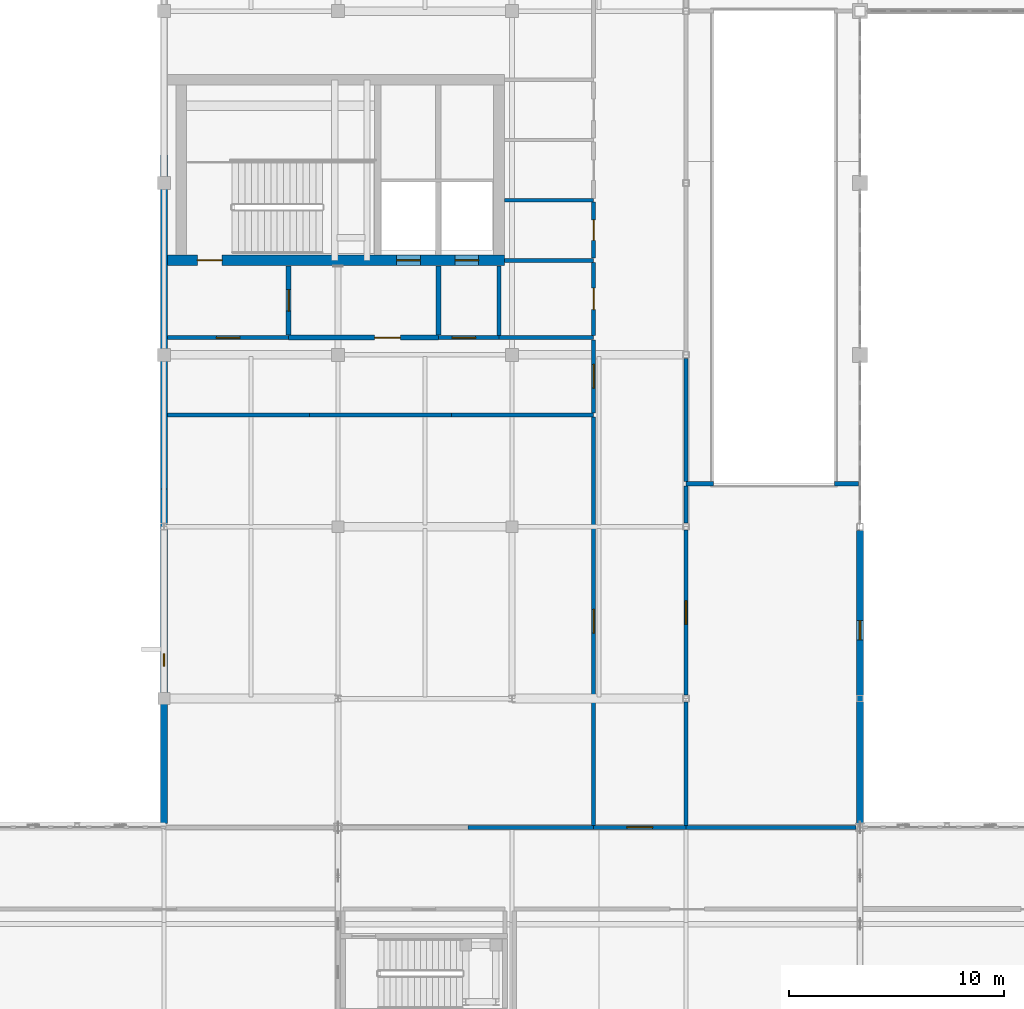
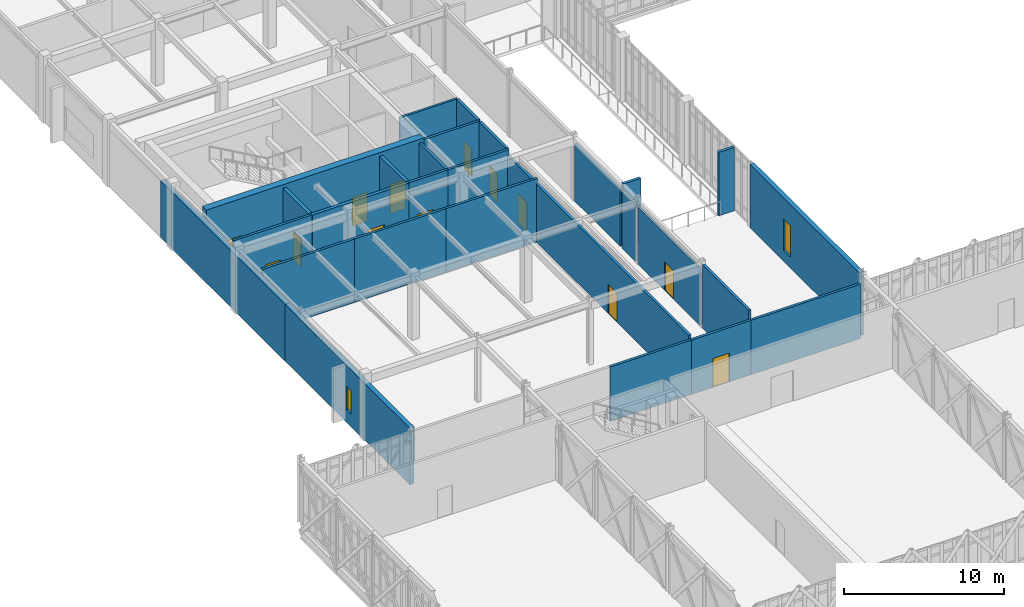
# One storey, part 93 of 107: 29 walls, 13 doors, 2 windows, 15 openings.
"""IFC4 building model written with IfcOpenShell, lengths in metres."""

from ifc_helpers import new_model, si_unit, direction, frame, frame_2d, origin, place, context, subcontext, project, spatial, rectangle, extrude, material, layer, layer_set, type_object, element, fill, save


model = new_model("IFC4")

# Units and contexts
model_context = context("Model", 3, precision=1e-05, world=origin(), true_north=direction((0.0, 1.0)))
body_context = subcontext(model_context, "Body", "Model", "MODEL_VIEW")
ifc_project = project(units=[si_unit("LENGTHUNIT", "METRE"), si_unit("AREAUNIT", "SQUARE_METRE"), si_unit("VOLUMEUNIT", "CUBIC_METRE"), si_unit("PLANEANGLEUNIT", "RADIAN"), si_unit("MASSUNIT", "GRAM", prefix="KILO")], contexts=[model_context])

# Site, building, storey
site_placement = place(None, origin())
site = spatial("IfcSite", under=ifc_project, at=site_placement, CompositionType="ELEMENT")
building_placement = place(site_placement, origin())
building = spatial("IfcBuilding", under=site, at=building_placement, Name="Tarnveldt Square Police Headquarters", CompositionType="ELEMENT")
storey_placement = place(building_placement, frame((0.0, 0.0, 14.699951171875)))
storey = spatial("IfcBuildingStorey", under=building, at=storey_placement, Name="L03", CompositionType="ELEMENT", Elevation=14.699951171875)

# Walls
ifc_material_1 = material(Name="Fire-rated Type X gypsum board on steel studs", Category="steel")
ifc_layer_1 = layer(ifc_material_1, 0.199951171875)
ifc_layer_set_1 = layer_set([ifc_layer_1], Name="Fire-rated Type X gypsum board on steel studs")
wall_type_1 = type_object("IfcWallType", Name="WL-ACOUST-200", PredefinedType="PARTITIONING", material=ifc_layer_set_1)
wall_1_placement = place(storey_placement, frame((40.5, 50.0, 0.0), z_axis=(0.0, 0.0, 1.0), x_axis=(1.0, 0.0, 0.0)))
element("IfcWall", 1, at=wall_1_placement, inside=storey, type_object=wall_type_1, Name="L03 Interior Partition Wall 0459", PredefinedType="PARTITIONING", context=body_context, shape_type="SweptSolid", body=[
    extrude(rectangle(XDim=1.2900390625, YDim=0.199951171875, at=frame_2d((0.64501953125, 0.0))), origin(), (0.0, 0.0, 1.0), 4.840087890625),
])
wall_2_placement = place(storey_placement, frame((47.409912109375, 50.0, 0.0), z_axis=(0.0, 0.0, 1.0), x_axis=(1.0, 0.0, 0.0)))
element("IfcWall", 2, at=wall_2_placement, inside=storey, type_object=wall_type_1, Name="L03 Interior Partition Wall 0460", PredefinedType="PARTITIONING", context=body_context, shape_type="SweptSolid", body=[
    extrude(rectangle(XDim=1.125, YDim=0.199951171875, at=frame_2d((0.5625, 0.0))), origin(), (0.0, 0.0, 1.0), 4.840087890625),
])

# Wall, openings, doors
ifc_material_2 = material(Name="Concrete 50 MPa", Category="concrete")
ifc_layer_2 = layer(ifc_material_2, 0.5)
ifc_layer_set_2 = layer_set([ifc_layer_2], Name="Concrete 50 MPa")
wall_type_2 = type_object("IfcWallType", Name="WL-CORE-500", PredefinedType="SHEAR", material=ifc_layer_set_2)
wall_3_placement = place(storey_placement, frame((16.360107421875, 60.39990234375, 0.0), z_axis=(0.0, 0.0, 1.0), x_axis=(1.0, 0.0, 0.0)))
wall_3 = element("IfcWall", 3, at=wall_3_placement, inside=storey, type_object=wall_type_2, Name="Core K1 South-West Command and Firefighting Core L03 South Shear Wall", PredefinedType="SHEAR", context=body_context, shape_type="SweptSolid", body=[
    extrude(rectangle(XDim=15.68994140625, YDim=0.5, at=frame_2d((7.844970703125, 0.0))), origin(), (0.0, 0.0, 1.0), 5.10009765625),
])
opening_1_placement = place(wall_3_placement, frame((1.389892578125, 0.0, 0.0)))
opening_1 = element("IfcOpeningElement", 4, at=opening_1_placement, cuts=wall_3, Name="Opening D-ST1-L03", PredefinedType="OPENING", context=body_context, shape_type="SweptSolid", body=[
    extrude(rectangle(XDim=1.14990234375, YDim=2.25, at=frame_2d((0.574951171875, 1.125))), frame((0.0, 0.260009765625, 0.0), z_axis=(0.0, -1.0, 0.0), x_axis=(1.0, 0.0, 0.0)), (0.0, 0.0, 1.0), 0.52001953125),
])
opening_2_placement = place(wall_3_placement, frame((10.672607421875, 0.0, 0.0)))
opening_2 = element("IfcOpeningElement", 5, at=opening_2_placement, cuts=wall_3, Name="Opening LD-LF1-L03", PredefinedType="OPENING", context=body_context, shape_type="SweptSolid", body=[
    extrude(rectangle(XDim=1.10009765625, YDim=2.199951171875, at=frame_2d((0.550048828125, 1.10009765625))), frame((0.0, 0.260009765625, 0.0), z_axis=(0.0, -1.0, 0.0), x_axis=(1.0, 0.0, 0.0)), (0.0, 0.0, 1.0), 0.52001953125),
])
opening_3_placement = place(wall_3_placement, frame((13.387451171875, 0.0, 0.0)))
opening_3 = element("IfcOpeningElement", 6, at=opening_3_placement, cuts=wall_3, Name="Opening LD-LP1-L03", PredefinedType="OPENING", context=body_context, shape_type="SweptSolid", body=[
    extrude(rectangle(XDim=1.10009765625, YDim=2.199951171875, at=frame_2d((0.550048828125, 1.10009765625))), frame((0.0, 0.260009765625, 0.0), z_axis=(0.0, -1.0, 0.0), x_axis=(1.0, 0.0, 0.0)), (0.0, 0.0, 1.0), 0.52001953125),
])
ifc_material_3 = material(Name="Insulated hollow metal steel door leaf", Category="steel")
door_type_1 = type_object("IfcDoorType", Name="DR-FD90-1150", OperationType="NOTDEFINED", PredefinedType="DOOR", material=ifc_material_3)
door_1_placement = place(opening_1_placement, origin())
door_1 = element("IfcDoor", 7, at=door_1_placement, inside=storey, type_object=door_type_1, Name="Exit Stair ST1 L03 Fire Door", OperationType="SINGLE_SWING_LEFT", OverallHeight=2.25, OverallWidth=1.14990234375, PredefinedType="DOOR", context=body_context, shape_type="SweptSolid", body=[
    extrude(rectangle(XDim=1.14990234375, YDim=2.25, at=frame_2d((0.574951171875, 1.125))), frame((0.0, 0.02490234375, 0.0), z_axis=(0.0, -1.0, 0.0), x_axis=(1.0, 0.0, 0.0)), (0.0, 0.0, 1.0), 0.050048828125),
])
fill(opening_1, door_1)
ifc_material_4 = material(Name="Steel 350W", Category="steel")
door_type_2 = type_object("IfcDoorType", Name="DR-LD-1100", OperationType="DOUBLE_DOOR_SLIDING", PredefinedType="DOOR", material=ifc_material_4)
door_2_placement = place(opening_2_placement, frame((1.10009765625, 0.0, 0.0), z_axis=(0.0, 0.0, 1.0), x_axis=(-1.0, 0.0, 0.0)))
door_2 = element("IfcDoor", 8, at=door_2_placement, inside=storey, type_object=door_type_2, Name="Elevator LF1 L03 Sliding Landing Door", OperationType="DOUBLE_DOOR_SLIDING", OverallHeight=2.199951171875, OverallWidth=1.10009765625, PredefinedType="DOOR", context=body_context, shape_type="SweptSolid", body=[
    extrude(rectangle(XDim=1.10009765625, YDim=2.199951171875, at=frame_2d((0.550048828125, 1.10009765625))), frame((0.0, 0.02490234375, 0.0), z_axis=(0.0, -1.0, 0.0), x_axis=(1.0, 0.0, 0.0)), (0.0, 0.0, 1.0), 0.050048828125),
])
fill(opening_2, door_2)
door_3_placement = place(opening_3_placement, frame((1.10009765625, 0.0, 0.0), z_axis=(0.0, 0.0, 1.0), x_axis=(-1.0, 0.0, 0.0)))
door_3 = element("IfcDoor", 9, at=door_3_placement, inside=storey, type_object=door_type_2, Name="Elevator LP1 L03 Sliding Landing Door", OperationType="DOUBLE_DOOR_SLIDING", OverallHeight=2.199951171875, OverallWidth=1.10009765625, PredefinedType="DOOR", context=body_context, shape_type="SweptSolid", body=[
    extrude(rectangle(XDim=1.10009765625, YDim=2.199951171875, at=frame_2d((0.550048828125, 1.10009765625))), frame((0.0, 0.02490234375, 0.0), z_axis=(0.0, -1.0, 0.0), x_axis=(1.0, 0.0, 0.0)), (0.0, 0.0, 1.0), 0.050048828125),
])
fill(opening_3, door_3)

# Wall, opening, window
ifc_material_5 = material(Name="Concrete 40 MPa", Category="concrete")
ifc_layer_3 = layer(ifc_material_5, 0.320068359375)
ifc_layer_set_3 = layer_set([ifc_layer_3], Name="Concrete 40 MPa")
wall_type_3 = type_object("IfcWallType", Name="WL-EXT-BH320", PredefinedType="SOLIDWALL", material=ifc_layer_set_3)
wall_4_placement = place(storey_placement, frame((48.60009765625, 34.179931640625, 0.0), z_axis=(0.0, 0.0, 1.0), x_axis=(0.0, 1.0, 0.0)))
wall_4 = element("IfcWall", 10, at=wall_4_placement, inside=storey, type_object=wall_type_3, Name="L03 Brutalist Exterior Wall 0161", PredefinedType="SOLIDWALL", context=body_context, shape_type="SweptSolid", body=[
    extrude(rectangle(XDim=13.64013671875, YDim=0.320068359375, at=frame_2d((6.820068359375, 0.0))), origin(), (0.0, 0.0, 1.0), 4.840087890625),
])
opening_4_placement = place(wall_4_placement, frame((8.550048828125, 0.0, 0.85009765625)))
opening_4 = element("IfcOpeningElement", 11, at=opening_4_placement, cuts=wall_4, Name="Opening W03", PredefinedType="OPENING", context=body_context, shape_type="SweptSolid", body=[
    extrude(rectangle(XDim=0.89990234375, YDim=2.39990234375, at=frame_2d((0.449951171875, 1.199951171875))), frame((0.0, 0.169921875, 0.0), z_axis=(0.0, -1.0, 0.0), x_axis=(1.0, 0.0, 0.0)), (0.0, 0.0, 1.0), 0.340087890625),
])
ifc_material_6 = material(Name="Triple-glazed low-e laminated vision glass", Category="glass")
window_type_1 = type_object("IfcWindowType", Name="WIN-DR-090x240", PartitioningType="DOUBLE_PANEL_HORIZONTAL", PredefinedType="WINDOW", material=ifc_material_6)
window_1_placement = place(opening_4_placement, origin())
window_1 = element("IfcWindow", 12, at=window_1_placement, inside=storey, type_object=window_type_1, Name="L03 Deep-Reveal Brutalist Window 0075", OverallHeight=2.39990234375, OverallWidth=0.89990234375, PartitioningType="DOUBLE_PANEL_HORIZONTAL", PredefinedType="WINDOW", context=body_context, shape_type="SweptSolid", body=[
    extrude(rectangle(XDim=0.89990234375, YDim=2.39990234375, at=frame_2d((0.449951171875, 1.199951171875))), frame((0.0, 0.030029296875, 0.0), z_axis=(0.0, -1.0, 0.0), x_axis=(1.0, 0.0, 0.0)), (0.0, 0.0, 1.0), 0.06005859375),
])
fill(opening_4, window_1)

# Wall
wall_5_placement = place(storey_placement, frame((16.199951171875, 65.30810546875, 0.0), z_axis=(0.0, 0.0, 1.0), x_axis=(0.0, -1.0, 0.0)))
element("IfcWall", 13, at=wall_5_placement, inside=storey, type_object=wall_type_3, Name="L03 Brutalist Exterior Wall 0182", PredefinedType="SOLIDWALL", context=body_context, shape_type="SweptSolid", body=[
    extrude(rectangle(XDim=15.564208984375, YDim=0.320068359375, at=frame_2d((7.7822265625, 0.0))), origin(), (0.0, 0.0, 1.0), 4.33203125),
])

# Wall, opening, window
wall_6_placement = place(storey_placement, frame((16.199951171875, 49.743896484375, 0.0), z_axis=(0.0, 0.0, 1.0), x_axis=(0.0, -1.0, 0.0)))
wall_6 = element("IfcWall", 14, at=wall_6_placement, inside=storey, type_object=wall_type_3, Name="L03 Brutalist Exterior Wall 0183", PredefinedType="SOLIDWALL", context=body_context, shape_type="SweptSolid", body=[
    extrude(rectangle(XDim=15.56396484375, YDim=0.320068359375, at=frame_2d((7.781982421875, 0.0))), origin(), (0.0, 0.0, 1.0), 4.33203125),
])
opening_5_placement = place(wall_6_placement, frame((7.64990234375, 0.0, 0.949951171875)))
opening_5 = element("IfcOpeningElement", 15, at=opening_5_placement, cuts=wall_6, Name="Opening W20", PredefinedType="OPENING", context=body_context, shape_type="SweptSolid", body=[
    extrude(rectangle(XDim=0.60009765625, YDim=1.800048828125, at=frame_2d((0.300048828125, 0.89990234375))), frame((0.0, 0.169921875, 0.0), z_axis=(0.0, -1.0, 0.0), x_axis=(1.0, 0.0, 0.0)), (0.0, 0.0, 1.0), 0.340087890625),
])
window_type_2 = type_object("IfcWindowType", Name="WIN-SLT-060x180", PartitioningType="SINGLE_PANEL", PredefinedType="WINDOW", material=ifc_material_6)
window_2_placement = place(opening_5_placement, origin())
window_2 = element("IfcWindow", 16, at=window_2_placement, inside=storey, type_object=window_type_2, Name="L03 Deep-Reveal Brutalist Window 0092", OverallHeight=1.800048828125, OverallWidth=0.60009765625, PartitioningType="SINGLE_PANEL", PredefinedType="WINDOW", context=body_context, shape_type="SweptSolid", body=[
    extrude(rectangle(XDim=0.60009765625, YDim=1.800048828125, at=frame_2d((0.300048828125, 0.89990234375))), frame((0.0, 0.030029296875, 0.0), z_axis=(0.0, -1.0, 0.0), x_axis=(1.0, 0.0, 0.0)), (0.0, 0.0, 1.0), 0.06005859375),
])
fill(opening_5, window_2)

# Walls
ifc_layer_4 = layer(ifc_material_1, 0.179931640625)
ifc_layer_set_4 = layer_set([ifc_layer_4], Name="Fire-rated Type X gypsum board on steel studs")
wall_type_4 = type_object("IfcWallType", Name="WL-FIRE-180", PredefinedType="PARTITIONING", material=ifc_layer_set_4)
wall_7_placement = place(storey_placement, frame((30.347412109375, 34.0, 0.0), z_axis=(0.0, 0.0, 1.0), x_axis=(1.0, 0.0, 0.0)))
element("IfcWall", 17, at=wall_7_placement, inside=storey, type_object=wall_type_4, Name="L03 Interior Partition Wall 0436", PredefinedType="PARTITIONING", context=body_context, shape_type="SweptSolid", body=[
    extrude(rectangle(XDim=5.8525390625, YDim=0.179931640625, at=frame_2d((2.92626953125, 0.0))), origin(), (0.0, 0.0, 1.0), 4.14404296875),
])
wall_8_placement = place(storey_placement, frame((16.367919921875, 53.199951171875, 0.0), z_axis=(0.0, 0.0, 1.0), x_axis=(1.0, 0.0, 0.0)))
element("IfcWall", 18, at=wall_8_placement, inside=storey, type_object=wall_type_4, Name="L03 Interior Partition Wall 0437", PredefinedType="PARTITIONING", context=body_context, shape_type="SweptSolid", body=[
    extrude(rectangle(XDim=6.61083984375, YDim=0.179931640625, at=frame_2d((3.305419921875, 0.0))), origin(), (0.0, 0.0, 1.0), 4.840087890625),
])
for number, where, z_axis, x_axis, name in (
    (19, (22.978759765625, 53.199951171875, 0.0), (0.0, 0.0, 1.0), (1.0, 0.0, 0.0), "L03 Interior Partition Wall 0438"),
    (20, (29.58935546875, 53.199951171875, 0.0), (0.0, 0.0, 1.0), (1.0, 0.0, 0.0), "L03 Interior Partition Wall 0439"),
):
    element("IfcWall", number, at=place(storey_placement, frame(where, z_axis=z_axis, x_axis=x_axis)), inside=storey, type_object=wall_type_4, Name=name, PredefinedType="PARTITIONING", context=body_context, shape_type="SweptSolid", body=[
        extrude(rectangle(XDim=6.610595703125, YDim=0.179931640625, at=frame_2d((3.30517578125, 0.0))), origin(), (0.0, 0.0, 1.0), 4.840087890625),
    ])

# Wall, opening, door
wall_9_placement = place(storey_placement, frame((16.367919921875, 56.800048828125, 0.0), z_axis=(0.0, 0.0, 1.0), x_axis=(1.0, 0.0, 0.0)))
wall_9 = element("IfcWall", 21, at=wall_9_placement, inside=storey, type_object=wall_type_4, Name="L03 Interior Partition Wall 0440", PredefinedType="PARTITIONING", context=body_context, shape_type="SweptSolid", body=[
    extrude(rectangle(XDim=5.632080078125, YDim=0.179931640625, at=frame_2d((2.81591796875, 0.0))), origin(), (0.0, 0.0, 1.0), 4.840087890625),
])
opening_6_placement = place(wall_9_placement, frame((2.26611328125, 0.0, 0.0)))
opening_6 = element("IfcOpeningElement", 22, at=opening_6_placement, cuts=wall_9, Name="Opening D15", PredefinedType="OPENING", context=body_context, shape_type="SweptSolid", body=[
    extrude(rectangle(XDim=1.10009765625, YDim=2.199951171875, at=frame_2d((0.550048828125, 1.10009765625))), frame((0.0, 0.099853515625, 0.0), z_axis=(0.0, -1.0, 0.0), x_axis=(1.0, 0.0, 0.0)), (0.0, 0.0, 1.0), 0.199951171875),
])
door_type_3 = type_object("IfcDoorType", Name="DR-FD60-1100", OperationType="NOTDEFINED", PredefinedType="DOOR", material=ifc_material_3)
door_4_placement = place(opening_6_placement, frame((1.10009765625, 0.0, 0.0), z_axis=(0.0, 0.0, 1.0), x_axis=(-1.0, 0.0, 0.0)))
door_4 = element("IfcDoor", 23, at=door_4_placement, inside=storey, type_object=door_type_3, Name="Core Stair Lobby K1-L03 Door", OperationType="SINGLE_SWING_LEFT", OverallHeight=2.199951171875, OverallWidth=1.10009765625, PredefinedType="DOOR", context=body_context, shape_type="SweptSolid", body=[
    extrude(rectangle(XDim=1.10009765625, YDim=2.199951171875, at=frame_2d((0.550048828125, 1.10009765625))), frame((0.0, 0.02490234375, 0.0), z_axis=(0.0, -1.0, 0.0), x_axis=(1.0, 0.0, 0.0)), (0.0, 0.0, 1.0), 0.050048828125),
])
fill(opening_6, door_4)

wall_10_placement = place(storey_placement, frame((28.97509765625, 56.800048828125, 0.0), z_axis=(0.0, 0.0, 1.0), x_axis=(1.0, 0.0, 0.0)))
wall_10 = element("IfcWall", 24, at=wall_10_placement, inside=storey, type_object=wall_type_4, Name="L03 Interior Partition Wall 0448", PredefinedType="PARTITIONING", context=body_context, shape_type="SweptSolid", body=[
    extrude(rectangle(XDim=2.824951171875, YDim=0.179931640625, at=frame_2d((1.41259765625, 0.0))), origin(), (0.0, 0.0, 1.0), 4.840087890625),
])
opening_7_placement = place(wall_10_placement, frame((0.636474609375, 0.0, 0.0)))
opening_7 = element("IfcOpeningElement", 25, at=opening_7_placement, cuts=wall_10, Name="Opening D15", PredefinedType="OPENING", context=body_context, shape_type="SweptSolid", body=[
    extrude(rectangle(XDim=1.10009765625, YDim=2.199951171875, at=frame_2d((0.550048828125, 1.10009765625))), frame((0.0, 0.099853515625, 0.0), z_axis=(0.0, -1.0, 0.0), x_axis=(1.0, 0.0, 0.0)), (0.0, 0.0, 1.0), 0.199951171875),
])
door_5_placement = place(opening_7_placement, frame((1.10009765625, 0.0, 0.0), z_axis=(0.0, 0.0, 1.0), x_axis=(-1.0, 0.0, 0.0)))
door_5 = element("IfcDoor", 26, at=door_5_placement, inside=storey, type_object=door_type_3, Name="Passenger Lift Lobby K1-L03 Door", OperationType="SINGLE_SWING_RIGHT", OverallHeight=2.199951171875, OverallWidth=1.10009765625, PredefinedType="DOOR", context=body_context, shape_type="SweptSolid", body=[
    extrude(rectangle(XDim=1.10009765625, YDim=2.199951171875, at=frame_2d((0.550048828125, 1.10009765625))), frame((0.0, 0.02490234375, 0.0), z_axis=(0.0, -1.0, 0.0), x_axis=(1.0, 0.0, 0.0)), (0.0, 0.0, 1.0), 0.050048828125),
])
fill(opening_7, door_5)

# Walls
wall_11_placement = place(storey_placement, frame((31.800048828125, 56.800048828125, 0.0), z_axis=(0.0, 0.0, 1.0), x_axis=(1.0, 0.0, 0.0)))
element("IfcWall", 27, at=wall_11_placement, inside=storey, type_object=wall_type_4, Name="L03 Interior Partition Wall 0451", PredefinedType="PARTITIONING", context=body_context, shape_type="SweptSolid", body=[
    extrude(rectangle(XDim=4.39990234375, YDim=0.179931640625, at=frame_2d((2.199951171875, 0.0))), origin(), (0.0, 0.0, 1.0), 4.840087890625),
])
wall_12_placement = place(storey_placement, frame((32.050048828125, 60.39990234375, 0.0), z_axis=(0.0, 0.0, 1.0), x_axis=(1.0, 0.0, 0.0)))
element("IfcWall", 28, at=wall_12_placement, inside=storey, type_object=wall_type_4, Name="L03 Interior Partition Wall 0452", PredefinedType="PARTITIONING", context=body_context, shape_type="SweptSolid", body=[
    extrude(rectangle(XDim=4.14990234375, YDim=0.179931640625, at=frame_2d((2.074951171875, 0.0))), origin(), (0.0, 0.0, 1.0), 4.840087890625),
])

# Wall, opening, door
wall_13_placement = place(storey_placement, frame((36.199951171875, 34.0, 0.0), z_axis=(0.0, 0.0, 1.0), x_axis=(1.0, 0.0, 0.0)))
wall_13 = element("IfcWall", 29, at=wall_13_placement, inside=storey, type_object=wall_type_4, Name="L03 Interior Partition Wall 0457", PredefinedType="PARTITIONING", context=body_context, shape_type="SweptSolid", body=[
    extrude(rectangle(XDim=4.300048828125, YDim=0.179931640625, at=frame_2d((2.14990234375, 0.0))), origin(), (0.0, 0.0, 1.0), 4.14404296875),
])
opening_8_placement = place(wall_13_placement, frame((1.550048828125, 0.0, 0.0)))
opening_8 = element("IfcOpeningElement", 30, at=opening_8_placement, cuts=wall_13, Name="Opening D16", PredefinedType="OPENING", context=body_context, shape_type="SweptSolid", body=[
    extrude(rectangle(XDim=1.199951171875, YDim=2.199951171875, at=frame_2d((0.60009765625, 1.10009765625))), frame((0.0, 0.099853515625, 0.0), z_axis=(0.0, -1.0, 0.0), x_axis=(1.0, 0.0, 0.0)), (0.0, 0.0, 1.0), 0.199951171875),
])
door_type_4 = type_object("IfcDoorType", Name="DR-FD60-1200", OperationType="NOTDEFINED", PredefinedType="DOOR", material=ifc_material_3)
door_6_placement = place(opening_8_placement, frame((1.199951171875, 0.0, 0.0), z_axis=(0.0, 0.0, 1.0), x_axis=(-1.0, 0.0, 0.0)))
door_6 = element("IfcDoor", 31, at=door_6_placement, inside=storey, type_object=door_type_4, Name="Command Lantern Rear Spine Corridor Door", OperationType="SINGLE_SWING_LEFT", OverallHeight=2.199951171875, OverallWidth=1.199951171875, PredefinedType="DOOR", context=body_context, shape_type="SweptSolid", body=[
    extrude(rectangle(XDim=1.199951171875, YDim=2.199951171875, at=frame_2d((0.60009765625, 1.10009765625))), frame((0.0, 0.02490234375, 0.0), z_axis=(0.0, -1.0, 0.0), x_axis=(1.0, 0.0, 0.0)), (0.0, 0.0, 1.0), 0.050048828125),
])
fill(opening_8, door_6)

# Walls
wall_14_placement = place(storey_placement, frame((40.5, 34.0, 0.0), z_axis=(0.0, 0.0, 1.0), x_axis=(1.0, 0.0, 0.0)))
element("IfcWall", 32, at=wall_14_placement, inside=storey, type_object=wall_type_4, Name="L03 Interior Partition Wall 0458", PredefinedType="PARTITIONING", context=body_context, shape_type="SweptSolid", body=[
    extrude(rectangle(XDim=7.905029296875, YDim=0.179931640625, at=frame_2d((3.95263671875, 0.0))), origin(), (0.0, 0.0, 1.0), 4.14404296875),
])
wall_15_placement = place(storey_placement, frame((31.800048828125, 56.89794921875, 0.0), z_axis=(0.0, 0.0, 1.0), x_axis=(0.0, 1.0, 0.0)))
element("IfcWall", 33, at=wall_15_placement, inside=storey, type_object=wall_type_4, Name="L03 Interior Partition Wall 0486", PredefinedType="PARTITIONING", context=body_context, shape_type="SweptSolid", body=[
    extrude(rectangle(XDim=3.244140625, YDim=0.179931640625, at=frame_2d((1.6220703125, 0.0))), origin(), (0.0, 0.0, 1.0), 4.840087890625),
])

# Wall, opening, door
wall_16_placement = place(storey_placement, frame((36.199951171875, 34.097900390625, 0.0), z_axis=(0.0, 0.0, 1.0), x_axis=(0.0, 1.0, 0.0)))
wall_16 = element("IfcWall", 34, at=wall_16_placement, inside=storey, type_object=wall_type_4, Name="L03 Interior Partition Wall 0490", PredefinedType="PARTITIONING", context=body_context, shape_type="SweptSolid", body=[
    extrude(rectangle(XDim=19.004150390625, YDim=0.179931640625, at=frame_2d((9.501953125, 0.0))), origin(), (0.0, 0.0, 1.0), 4.425048828125),
])
opening_9_placement = place(wall_16_placement, frame((8.951904296875, 0.0, 0.0)))
opening_9 = element("IfcOpeningElement", 35, at=opening_9_placement, cuts=wall_16, Name="Opening D07", PredefinedType="OPENING", context=body_context, shape_type="SweptSolid", body=[
    extrude(rectangle(XDim=1.10009765625, YDim=2.199951171875, at=frame_2d((0.550048828125, 1.10009765625))), frame((0.0, 0.099853515625, 0.0), z_axis=(0.0, -1.0, 0.0), x_axis=(1.0, 0.0, 0.0)), (0.0, 0.0, 1.0), 0.199951171875),
])
ifc_material_7 = material(Name="Solid core architectural birch door leaf", Category="wood")
door_type_5 = type_object("IfcDoorType", Name="DR-INT-1100", OperationType="NOTDEFINED", PredefinedType="DOOR", material=ifc_material_7)
door_7_placement = place(opening_9_placement, origin())
door_7 = element("IfcDoor", 36, at=door_7_placement, inside=storey, type_object=door_type_5, Name="Hold-Up and Robbery Investigation Squad Door", OperationType="SINGLE_SWING_RIGHT", OverallHeight=2.199951171875, OverallWidth=1.10009765625, PredefinedType="DOOR", context=body_context, shape_type="SweptSolid", body=[
    extrude(rectangle(XDim=1.10009765625, YDim=2.199951171875, at=frame_2d((0.550048828125, 1.10009765625))), frame((0.0, 0.02490234375, 0.0), z_axis=(0.0, -1.0, 0.0), x_axis=(1.0, 0.0, 0.0)), (0.0, 0.0, 1.0), 0.050048828125),
])
fill(opening_9, door_7)

wall_17_placement = place(storey_placement, frame((36.199951171875, 53.298095703125, 0.0), z_axis=(0.0, 0.0, 1.0), x_axis=(0.0, 1.0, 0.0)))
wall_17 = element("IfcWall", 37, at=wall_17_placement, inside=storey, type_object=wall_type_4, Name="L03 Interior Partition Wall 0491", PredefinedType="PARTITIONING", context=body_context, shape_type="SweptSolid", body=[
    extrude(rectangle(XDim=3.40380859375, YDim=0.179931640625, at=frame_2d((1.701904296875, 0.0))), origin(), (0.0, 0.0, 1.0), 4.425048828125),
])
opening_10_placement = place(wall_17_placement, frame((1.152099609375, 0.0, 0.0)))
opening_10 = element("IfcOpeningElement", 38, at=opening_10_placement, cuts=wall_17, Name="Opening D15", PredefinedType="OPENING", context=body_context, shape_type="SweptSolid", body=[
    extrude(rectangle(XDim=1.10009765625, YDim=2.199951171875, at=frame_2d((0.550048828125, 1.10009765625))), frame((0.0, 0.099853515625, 0.0), z_axis=(0.0, -1.0, 0.0), x_axis=(1.0, 0.0, 0.0)), (0.0, 0.0, 1.0), 0.199951171875),
])
door_8_placement = place(opening_10_placement, origin())
door_8 = element("IfcDoor", 39, at=door_8_placement, inside=storey, type_object=door_type_3, Name="Core K1 South Link Corridor L03 Door", OperationType="SINGLE_SWING_LEFT", OverallHeight=2.199951171875, OverallWidth=1.10009765625, PredefinedType="DOOR", context=body_context, shape_type="SweptSolid", body=[
    extrude(rectangle(XDim=1.10009765625, YDim=2.199951171875, at=frame_2d((0.550048828125, 1.10009765625))), frame((0.0, 0.02490234375, 0.0), z_axis=(0.0, -1.0, 0.0), x_axis=(1.0, 0.0, 0.0)), (0.0, 0.0, 1.0), 0.050048828125),
])
fill(opening_10, door_8)

wall_18_placement = place(storey_placement, frame((36.199951171875, 56.89794921875, 0.0), z_axis=(0.0, 0.0, 1.0), x_axis=(0.0, 1.0, 0.0)))
wall_18 = element("IfcWall", 40, at=wall_18_placement, inside=storey, type_object=wall_type_4, Name="L03 Interior Partition Wall 0492", PredefinedType="PARTITIONING", context=body_context, shape_type="SweptSolid", body=[
    extrude(rectangle(XDim=3.404052734375, YDim=0.179931640625, at=frame_2d((1.7021484375, 0.0))), origin(), (0.0, 0.0, 1.0), 4.840087890625),
])
opening_11_placement = place(wall_18_placement, frame((1.201904296875, 0.0, 0.0)))
opening_11 = element("IfcOpeningElement", 41, at=opening_11_placement, cuts=wall_18, Name="Opening D14", PredefinedType="OPENING", context=body_context, shape_type="SweptSolid", body=[
    extrude(rectangle(XDim=1.0, YDim=2.14990234375, at=frame_2d((0.5, 1.074951171875))), frame((0.0, 0.099853515625, 0.0), z_axis=(0.0, -1.0, 0.0), x_axis=(1.0, 0.0, 0.0)), (0.0, 0.0, 1.0), 0.199951171875),
])
door_type_6 = type_object("IfcDoorType", Name="DR-FD60-1000", OperationType="NOTDEFINED", PredefinedType="DOOR", material=ifc_material_3)
door_9_placement = place(opening_11_placement, origin())
door_9 = element("IfcDoor", 42, at=door_9_placement, inside=storey, type_object=door_type_6, Name="Electrical Distribution Room L03 Door", OperationType="SINGLE_SWING_RIGHT", OverallHeight=2.14990234375, OverallWidth=1.0, PredefinedType="DOOR", context=body_context, shape_type="SweptSolid", body=[
    extrude(rectangle(XDim=1.0, YDim=2.14990234375, at=frame_2d((0.5, 1.074951171875))), frame((0.0, 0.02490234375, 0.0), z_axis=(0.0, -1.0, 0.0), x_axis=(1.0, 0.0, 0.0)), (0.0, 0.0, 1.0), 0.050048828125),
])
fill(opening_11, door_9)

wall_19_placement = place(storey_placement, frame((36.199951171875, 60.498046875, 0.0), z_axis=(0.0, 0.0, 1.0), x_axis=(0.0, 1.0, 0.0)))
wall_19 = element("IfcWall", 43, at=wall_19_placement, inside=storey, type_object=wall_type_4, Name="L03 Interior Partition Wall 0493", PredefinedType="PARTITIONING", context=body_context, shape_type="SweptSolid", body=[
    extrude(rectangle(XDim=2.614013671875, YDim=0.179931640625, at=frame_2d((1.30712890625, 0.0))), origin(), (0.0, 0.0, 1.0), 4.840087890625),
])
opening_12_placement = place(wall_19_placement, frame((0.83203125, 0.0, 0.0)))
opening_12 = element("IfcOpeningElement", 44, at=opening_12_placement, cuts=wall_19, Name="Opening D02", PredefinedType="OPENING", context=body_context, shape_type="SweptSolid", body=[
    extrude(rectangle(XDim=0.949951171875, YDim=2.10009765625, at=frame_2d((0.47509765625, 1.050048828125))), frame((0.0, 0.099853515625, 0.0), z_axis=(0.0, -1.0, 0.0), x_axis=(1.0, 0.0, 0.0)), (0.0, 0.0, 1.0), 0.199951171875),
])
door_type_7 = type_object("IfcDoorType", Name="DR-WC-950", OperationType="NOTDEFINED", PredefinedType="DOOR", material=ifc_material_7)
door_10_placement = place(opening_12_placement, origin())
door_10 = element("IfcDoor", 45, at=door_10_placement, inside=storey, type_object=door_type_7, Name="Men Washroom L03 Door", OperationType="SINGLE_SWING_LEFT", OverallHeight=2.10009765625, OverallWidth=0.949951171875, PredefinedType="DOOR", context=body_context, shape_type="SweptSolid", body=[
    extrude(rectangle(XDim=0.949951171875, YDim=2.10009765625, at=frame_2d((0.47509765625, 1.050048828125))), frame((0.0, 0.02490234375, 0.0), z_axis=(0.0, -1.0, 0.0), x_axis=(1.0, 0.0, 0.0)), (0.0, 0.0, 1.0), 0.050048828125),
])
fill(opening_12, door_10)

# Wall
wall_20_placement = place(storey_placement, frame((40.5, 34.097900390625, 0.0), z_axis=(0.0, 0.0, 1.0), x_axis=(0.0, 1.0, 0.0)))
element("IfcWall", 46, at=wall_20_placement, inside=storey, type_object=wall_type_4, Name="L03 Interior Partition Wall 0500", PredefinedType="PARTITIONING", context=body_context, shape_type="SweptSolid", body=[
    extrude(rectangle(XDim=5.74169921875, YDim=0.179931640625, at=frame_2d((2.870849609375, 0.0))), origin(), (0.0, 0.0, 1.0), 4.840087890625),
])

# Wall, opening, door
wall_21_placement = place(storey_placement, frame((40.5, 40.160400390625, 0.0), z_axis=(0.0, 0.0, 1.0), x_axis=(0.0, 1.0, 0.0)))
wall_21 = element("IfcWall", 47, at=wall_21_placement, inside=storey, type_object=wall_type_4, Name="L03 Interior Partition Wall 0501", PredefinedType="PARTITIONING", context=body_context, shape_type="SweptSolid", body=[
    extrude(rectangle(XDim=7.67919921875, YDim=0.179931640625, at=frame_2d((3.839599609375, 0.0))), origin(), (0.0, 0.0, 1.0), 4.369140625),
])
opening_13_placement = place(wall_21_placement, frame((3.28955078125, 0.0, 0.0)))
opening_13 = element("IfcOpeningElement", 48, at=opening_13_placement, cuts=wall_21, Name="Opening D07", PredefinedType="OPENING", context=body_context, shape_type="SweptSolid", body=[
    extrude(rectangle(XDim=1.10009765625, YDim=2.199951171875, at=frame_2d((0.550048828125, 1.10009765625))), frame((0.0, 0.099853515625, 0.0), z_axis=(0.0, -1.0, 0.0), x_axis=(1.0, 0.0, 0.0)), (0.0, 0.0, 1.0), 0.199951171875),
])
door_11_placement = place(opening_13_placement, frame((1.10009765625, 0.0, 0.0), z_axis=(0.0, 0.0, 1.0), x_axis=(-1.0, 0.0, 0.0)))
door_11 = element("IfcDoor", 49, at=door_11_placement, inside=storey, type_object=door_type_5, Name="Incident Debriefing Seminar Room L03 Door", OperationType="SINGLE_SWING_RIGHT", OverallHeight=2.199951171875, OverallWidth=1.10009765625, PredefinedType="DOOR", context=body_context, shape_type="SweptSolid", body=[
    extrude(rectangle(XDim=1.10009765625, YDim=2.199951171875, at=frame_2d((0.550048828125, 1.10009765625))), frame((0.0, 0.02490234375, 0.0), z_axis=(0.0, -1.0, 0.0), x_axis=(1.0, 0.0, 0.0)), (0.0, 0.0, 1.0), 0.050048828125),
])
fill(opening_13, door_11)

# Walls
wall_22_placement = place(storey_placement, frame((40.5, 48.160400390625, 0.0), z_axis=(0.0, 0.0, 1.0), x_axis=(0.0, 1.0, 0.0)))
element("IfcWall", 50, at=wall_22_placement, inside=storey, type_object=wall_type_4, Name="L03 Interior Partition Wall 0502", PredefinedType="PARTITIONING", context=body_context, shape_type="SweptSolid", body=[
    extrude(rectangle(XDim=1.731689453125, YDim=0.179931640625, at=frame_2d((0.86572265625, 0.0))), origin(), (0.0, 0.0, 1.0), 4.33203125),
])
wall_23_placement = place(storey_placement, frame((40.5, 50.10791015625, 0.0), z_axis=(0.0, 0.0, 1.0), x_axis=(0.0, 1.0, 0.0)))
element("IfcWall", 51, at=wall_23_placement, inside=storey, type_object=wall_type_4, Name="L03 Interior Partition Wall 0503", PredefinedType="PARTITIONING", context=body_context, shape_type="SweptSolid", body=[
    extrude(rectangle(XDim=5.731689453125, YDim=0.179931640625, at=frame_2d((2.86572265625, 0.0))), origin(), (0.0, 0.0, 1.0), 4.33203125),
])

# Wall, opening, door
ifc_material_8 = material(Name="Concrete block masonry 15 MPa", Category="masonry")
ifc_layer_5 = layer(ifc_material_8, 0.239990234375)
ifc_layer_set_5 = layer_set([ifc_layer_5], Name="Concrete block masonry 15 MPa")
wall_type_5 = type_object("IfcWallType", Name="WL-FIRE-240", PredefinedType="PARTITIONING", material=ifc_layer_set_5)
wall_24_placement = place(storey_placement, frame((22.0, 56.800048828125, 0.0), z_axis=(0.0, 0.0, 1.0), x_axis=(1.0, 0.0, 0.0)))
wall_24 = element("IfcWall", 52, at=wall_24_placement, inside=storey, type_object=wall_type_5, Name="L03 Interior Partition Wall 0446", PredefinedType="PARTITIONING", context=body_context, shape_type="SweptSolid", body=[
    extrude(rectangle(XDim=6.97509765625, YDim=0.239990234375, at=frame_2d((3.487548828125, 0.0))), origin(), (0.0, 0.0, 1.0), 4.840087890625),
])
opening_14_placement = place(wall_24_placement, frame((4.00341796875, 0.0, 0.0)))
opening_14 = element("IfcOpeningElement", 53, at=opening_14_placement, cuts=wall_24, Name="Opening D20", PredefinedType="OPENING", context=body_context, shape_type="SweptSolid", body=[
    extrude(rectangle(XDim=1.199951171875, YDim=2.300048828125, at=frame_2d((0.60009765625, 1.14990234375))), frame((0.0, 0.1298828125, 0.0), z_axis=(0.0, -1.0, 0.0), x_axis=(1.0, 0.0, 0.0)), (0.0, 0.0, 1.0), 0.260009765625),
])
door_type_8 = type_object("IfcDoorType", Name="DR-FD90-1200", OperationType="NOTDEFINED", PredefinedType="DOOR", material=ifc_material_3)
door_12_placement = place(opening_14_placement, frame((1.199951171875, 0.0, 0.0), z_axis=(0.0, 0.0, 1.0), x_axis=(-1.0, 0.0, 0.0)))
door_12 = element("IfcDoor", 54, at=door_12_placement, inside=storey, type_object=door_type_8, Name="Firefighting Lift Lobby K1-L03 Door", OperationType="SINGLE_SWING_RIGHT", OverallHeight=2.300048828125, OverallWidth=1.199951171875, PredefinedType="DOOR", context=body_context, shape_type="SweptSolid", body=[
    extrude(rectangle(XDim=1.199951171875, YDim=2.300048828125, at=frame_2d((0.60009765625, 1.14990234375))), frame((0.0, 0.02490234375, 0.0), z_axis=(0.0, -1.0, 0.0), x_axis=(1.0, 0.0, 0.0)), (0.0, 0.0, 1.0), 0.050048828125),
])
fill(opening_14, door_12)

wall_25_placement = place(storey_placement, frame((22.0, 56.927978515625, 0.0), z_axis=(0.0, 0.0, 1.0), x_axis=(0.0, 1.0, 0.0)))
wall_25 = element("IfcWall", 55, at=wall_25_placement, inside=storey, type_object=wall_type_5, Name="L03 Interior Partition Wall 0477", PredefinedType="PARTITIONING", context=body_context, shape_type="SweptSolid", body=[
    extrude(rectangle(XDim=3.214111328125, YDim=0.239990234375, at=frame_2d((1.60693359375, 0.0))), origin(), (0.0, 0.0, 1.0), 4.840087890625),
])
opening_15_placement = place(wall_25_placement, frame((1.10693359375, 0.0, 0.0)))
opening_15 = element("IfcOpeningElement", 56, at=opening_15_placement, cuts=wall_25, Name="Opening D17", PredefinedType="OPENING", context=body_context, shape_type="SweptSolid", body=[
    extrude(rectangle(XDim=1.0, YDim=2.199951171875, at=frame_2d((0.5, 1.10009765625))), frame((0.0, 0.1298828125, 0.0), z_axis=(0.0, -1.0, 0.0), x_axis=(1.0, 0.0, 0.0)), (0.0, 0.0, 1.0), 0.260009765625),
])
door_type_9 = type_object("IfcDoorType", Name="DR-FD90-1000", OperationType="NOTDEFINED", PredefinedType="DOOR", material=ifc_material_3)
door_13_placement = place(opening_15_placement, origin())
door_13 = element("IfcDoor", 57, at=door_13_placement, inside=storey, type_object=door_type_9, Name="Firefighting Lift Lobby K1-L03 Secondary Door", OperationType="SINGLE_SWING_LEFT", OverallHeight=2.199951171875, OverallWidth=1.0, PredefinedType="DOOR", context=body_context, shape_type="SweptSolid", body=[
    extrude(rectangle(XDim=1.0, YDim=2.199951171875, at=frame_2d((0.5, 1.10009765625))), frame((0.0, 0.02490234375, 0.0), z_axis=(0.0, -1.0, 0.0), x_axis=(1.0, 0.0, 0.0)), (0.0, 0.0, 1.0), 0.050048828125),
])
fill(opening_15, door_13)

# Walls
wall_26_placement = place(storey_placement, frame((28.97509765625, 56.927978515625, 0.0), z_axis=(0.0, 0.0, 1.0), x_axis=(0.0, 1.0, 0.0)))
element("IfcWall", 58, at=wall_26_placement, inside=storey, type_object=wall_type_5, Name="L03 Interior Partition Wall 0483", PredefinedType="PARTITIONING", context=body_context, shape_type="SweptSolid", body=[
    extrude(rectangle(XDim=3.214111328125, YDim=0.239990234375, at=frame_2d((1.60693359375, 0.0))), origin(), (0.0, 0.0, 1.0), 4.840087890625),
])
ifc_layer_6 = layer(ifc_material_8, 0.159912109375)
ifc_layer_set_6 = layer_set([ifc_layer_6], Name="Concrete block masonry 15 MPa")
wall_type_6 = type_object("IfcWallType", Name="WL-WET-160", PredefinedType="PARTITIONING", material=ifc_layer_set_6)
wall_27_placement = place(storey_placement, frame((32.05810546875, 63.199951171875, 0.0), z_axis=(0.0, 0.0, 1.0), x_axis=(1.0, 0.0, 0.0)))
element("IfcWall", 59, at=wall_27_placement, inside=storey, type_object=wall_type_6, Name="L03 Interior Partition Wall 0453", PredefinedType="PARTITIONING", context=body_context, shape_type="SweptSolid", body=[
    extrude(rectangle(XDim=4.141845703125, YDim=0.159912109375, at=frame_2d((2.07080078125, 0.0))), origin(), (0.0, 0.0, 1.0), 4.840087890625),
])

save(model, "model.ifc")
